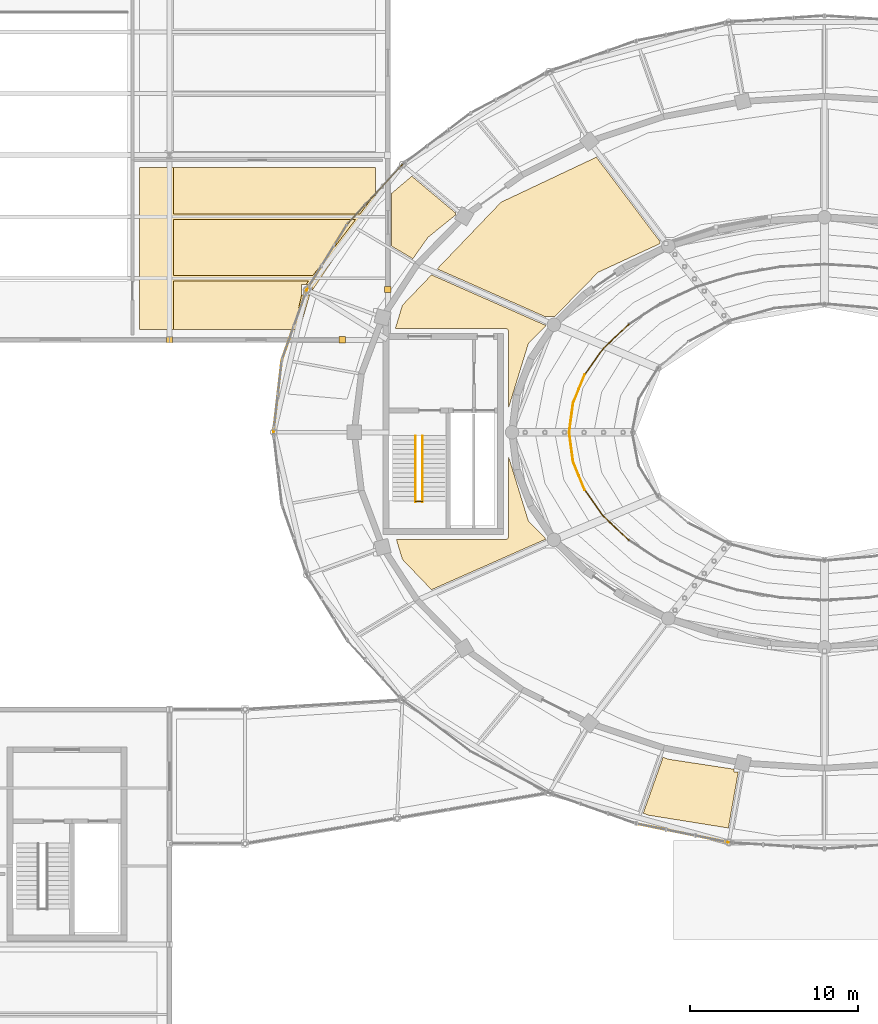
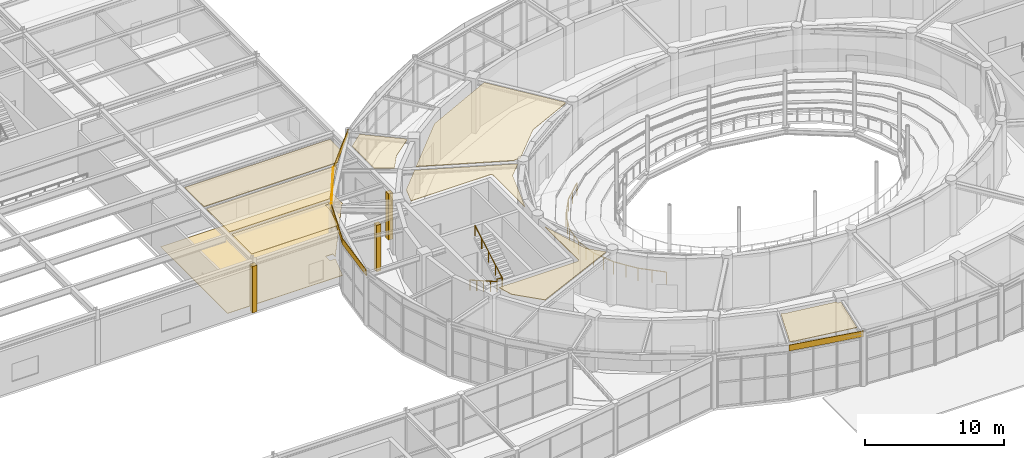
# One storey, part 90 of 100: 17 coverings, 11 railings.
"""IFC4 building model written with IfcOpenShell, lengths in metres."""

from ifc_helpers import new_model, si_unit, direction, frame, frame_2d, origin, origin_2d, place, context, subcontext, project, spatial, polyline, rectangle, circle, outline, extrude, material, layer, layer_set, type_object, element, save


model = new_model("IFC4")

# Units and contexts
model_context = context("Model", 3, precision=1e-05, world=origin(), true_north=direction((0.0, 1.0)))
body_context = subcontext(model_context, "Body", "Model", "MODEL_VIEW")
ifc_project = project(units=[si_unit("LENGTHUNIT", "METRE"), si_unit("AREAUNIT", "SQUARE_METRE"), si_unit("VOLUMEUNIT", "CUBIC_METRE"), si_unit("PLANEANGLEUNIT", "RADIAN"), si_unit("MASSUNIT", "GRAM", prefix="KILO")], contexts=[model_context])

# Site, building, storey
site_placement = place(None, origin())
site = spatial("IfcSite", under=ifc_project, at=site_placement, CompositionType="ELEMENT")
building_placement = place(site_placement, origin())
building = spatial("IfcBuilding", under=site, at=building_placement, Name="Tarnveldt Headland Concert Hall", CompositionType="ELEMENT")
storey_placement = place(building_placement, frame((0.0, 0.0, 4.800048828125)))
storey = spatial("IfcBuildingStorey", under=building, at=storey_placement, Name="L01", CompositionType="ELEMENT", Elevation=4.800048828125)

# Coverings
ifc_material_1 = material(Name="Micro-perforated mvule acoustic ceiling panel", Category="timber")
ifc_layer_1 = layer(ifc_material_1, 0.050048828125, Name="Micro-perforated mvule acoustic ceiling panel", Category="timber")
ifc_layer_set_1 = layer_set([ifc_layer_1], Name="Micro-perforated mvule acoustic ceiling panel")
covering_type_1 = type_object("IfcCoveringType", Name="CV-CEIL50", PredefinedType="CEILING", material=ifc_layer_set_1)
covering_1_placement = place(storey_placement, frame((0.0, 0.0, 4.489990234375)))
element("IfcCovering", 1, at=covering_1_placement, inside=storey, type_object=covering_type_1, Name="Acoustic mvule ceiling L01-09-114", PredefinedType="CEILING", context=body_context, shape_type="SweptSolid", body=[
    extrude(outline(polyline([(58.01220703125, 48.1201171875), (64.5, 48.1201171875), (64.517578125, 48.120849609375), (64.53515625, 48.12353515625), (64.55224609375, 48.127685546875), (64.56884765625, 48.1337890625), (64.5849609375, 48.141357421875), (64.60009765625, 48.150390625), (64.6142578125, 48.160888671875), (64.627197265625, 48.172607421875), (64.63916015625, 48.185791015625), (64.649658203125, 48.199951171875), (64.65869140625, 48.215087890625), (64.666259765625, 48.231201171875), (64.672119140625, 48.247802734375), (64.676513671875, 48.264892578125), (64.67919921875, 48.282470703125), (64.679931640625, 48.300048828125), (64.679931640625, 53.08154296875), (65.8544921875, 49.262939453125), (65.8603515625, 49.246826171875), (65.86767578125, 49.2314453125), (65.87646484375, 49.216796875), (65.886474609375, 49.202880859375), (65.89794921875, 49.190185546875), (66.891845703125, 48.17333984375), (66.891845703125, 48.13037109375), (60.10107421875, 45.127197265625), (58.369384765625, 46.934814453125), (58.01220703125, 48.1201171875)])), origin(), (0.0, 0.0, 1.0), 0.050048828125),
])
covering_2_placement = place(storey_placement, frame((0.0, 0.0, 4.489990234375)))
element("IfcCovering", 2, at=covering_2_placement, inside=storey, type_object=covering_type_1, Name="Acoustic mvule ceiling L01-10-124", PredefinedType="CEILING", context=body_context, shape_type="SweptSolid", body=[
    extrude(outline(polyline([(70.03369140625, 64.0302734375), (70.019775390625, 64.021484375), (70.0068359375, 64.011474609375), (69.9951171875, 64.000244140625), (67.45263671875, 61.39990234375), (66.891845703125, 61.39990234375), (66.891845703125, 61.37255859375), (60.439697265625, 64.22607421875), (64.24658203125, 68.2001953125), (69.919677734375, 70.881591796875), (73.699951171875, 65.8662109375), (73.699951171875, 65.72900390625), (70.048095703125, 64.03759765625), (70.03369140625, 64.0302734375)])), origin(), (0.0, 0.0, 1.0), 0.050048828125),
])
covering_3_placement = place(storey_placement, frame((0.0, 0.0, 4.489990234375)))
element("IfcCovering", 3, at=covering_3_placement, inside=storey, type_object=covering_type_1, Name="Acoustic mvule ceiling L01-10-125", PredefinedType="CEILING", context=body_context, shape_type="SweptSolid", body=[
    extrude(outline(polyline([(65.89794921875, 59.809814453125), (65.886474609375, 59.797119140625), (65.87646484375, 59.783203125), (65.86767578125, 59.7685546875), (65.8603515625, 59.753173828125), (65.8544921875, 59.737060546875), (64.679931640625, 55.91845703125), (64.679931640625, 60.5), (64.67919921875, 60.517578125), (64.676513671875, 60.53515625), (64.672119140625, 60.55224609375), (64.666259765625, 60.56884765625), (64.65869140625, 60.5849609375), (64.649658203125, 60.60009765625), (64.63916015625, 60.6142578125), (64.627197265625, 60.627197265625), (64.6142578125, 60.63916015625), (64.60009765625, 60.649658203125), (64.5849609375, 60.65869140625), (64.56884765625, 60.666259765625), (64.55224609375, 60.672119140625), (64.53515625, 60.676513671875), (64.517578125, 60.67919921875), (64.5, 60.679931640625), (57.951904296875, 60.679931640625), (58.369384765625, 62.065185546875), (60.10107421875, 63.872802734375), (66.891845703125, 60.86962890625), (66.891845703125, 60.82666015625), (65.89794921875, 59.809814453125)])), origin(), (0.0, 0.0, 1.0), 0.050048828125),
])
covering_4_placement = place(storey_placement, frame((0.0, 0.0, 4.489990234375)))
element("IfcCovering", 4, at=covering_4_placement, inside=storey, type_object=covering_type_1, Name="Acoustic mvule ceiling L01-11-129", PredefinedType="CEILING", context=body_context, shape_type="SweptSolid", body=[
    extrude(outline(polyline([(73.890380859375, 35.148193359375), (74.1943359375, 35.04150390625), (74.21044921875, 35.03662109375), (74.226806640625, 35.033447265625), (78.11279296875, 34.440185546875), (78.11279296875, 34.27880859375), (78.36767578125, 34.27880859375), (77.77880859375, 30.939453125), (73.02978515625, 31.698974609375), (72.710693359375, 31.81591796875), (73.890380859375, 35.148193359375)])), origin(), (0.0, 0.0, 1.0), 0.050048828125),
])
covering_5_placement = place(storey_placement, frame((0.0, 0.0, 4.489990234375)))
element("IfcCovering", 5, at=covering_5_placement, inside=storey, type_object=covering_type_1, Name="Acoustic mvule ceiling L01-13-153", PredefinedType="CEILING", context=body_context, shape_type="SweptSolid", body=[
    extrude(outline(polyline([(61.52587890625, 67.4287109375), (59.91162109375, 66.12109375), (59.8994140625, 66.110107421875), (59.88818359375, 66.09814453125), (59.8779296875, 66.085205078125), (58.99267578125, 64.833740234375), (57.72998046875, 65.583251953125), (57.72998046875, 68.728271484375), (58.9296875, 69.74609375), (61.52587890625, 67.56787109375), (61.52587890625, 67.4287109375)])), origin(), (0.0, 0.0, 1.0), 0.050048828125),
])
covering_6_placement = place(storey_placement, frame((0.0, 0.0, 4.489990234375)))
element("IfcCovering", 6, at=covering_6_placement, inside=storey, type_object=covering_type_1, Name="Acoustic mvule ceiling L01-25-189", PredefinedType="CEILING", context=body_context, shape_type="SweptSolid", body=[
    extrude(outline(polyline([(52.6201171875, 63.285400390625), (52.375, 63.285400390625), (52.375, 62.694580078125), (51.893310546875, 60.6298828125), (44.72998046875, 60.6298828125), (44.72998046875, 63.501953125), (52.78564453125, 63.501953125), (52.6201171875, 63.285400390625)])), origin(), (0.0, 0.0, 1.0), 0.050048828125),
])
covering_7_placement = place(storey_placement, frame((0.0, 0.0, 4.489990234375)))
element("IfcCovering", 7, at=covering_7_placement, inside=storey, type_object=covering_type_1, Name="Acoustic mvule ceiling L01-25-190", PredefinedType="CEILING", context=body_context, shape_type="SweptSolid", body=[
    extrude(outline(polyline([(55.8369140625, 67.498046875), (44.72998046875, 67.498046875), (44.72998046875, 70.27001953125), (56.77001953125, 70.27001953125), (56.77001953125, 68.7197265625), (55.8369140625, 67.498046875)])), origin(), (0.0, 0.0, 1.0), 0.050048828125),
])
covering_8_placement = place(storey_placement, frame((0.0, 0.0, 4.489990234375)))
element("IfcCovering", 8, at=covering_8_placement, inside=storey, type_object=covering_type_1, Name="Acoustic mvule ceiling L01-25-191", PredefinedType="CEILING", context=body_context, shape_type="SweptSolid", body=[
    extrude(outline(polyline([(44.72998046875, 67.16796875), (55.5849609375, 67.16796875), (53.03759765625, 63.83203125), (44.72998046875, 63.83203125), (44.72998046875, 67.16796875)])), origin(), (0.0, 0.0, 1.0), 0.050048828125),
])
ifc_material_2 = material(Name="Treated East African mvule hardwood", Category="wood")
ifc_layer_2 = layer(ifc_material_2, 0.044921875, Name="Treated East African mvule hardwood", Category="wood")
ifc_layer_set_2 = layer_set([ifc_layer_2], Name="Treated East African mvule hardwood")
covering_type_2 = type_object("IfcCoveringType", Name="CV-CLAD45", PredefinedType="CLADDING", material=ifc_layer_set_2)
covering_9_placement = place(storey_placement, frame((58.373779296875, 70.441162109375, 4.239990234375), z_axis=(0.0, 0.0, 1.0), x_axis=(-0.67944736966, -0.733724247835, 0.0)))
element("IfcCovering", 9, at=covering_9_placement, inside=storey, type_object=covering_type_2, Name="Mvule hardwood fascia band L01-15", PredefinedType="CLADDING", context=body_context, shape_type="SweptSolid", body=[
    extrude(rectangle(XDim=4.826416015625, YDim=0.044921875, at=frame_2d((2.4130859375, 0.0))), origin(), (0.0, 0.0, 1.0), 0.52001953125),
])
covering_10_placement = place(storey_placement, frame((55.094482421875, 66.89990234375, 4.239990234375), z_axis=(0.0, 0.0, 1.0), x_axis=(-0.524979001727, -0.851115178895, 0.0)))
element("IfcCovering", 10, at=covering_10_placement, inside=storey, type_object=covering_type_2, Name="Mvule hardwood fascia band L01-16", PredefinedType="CLADDING", context=body_context, shape_type="SweptSolid", body=[
    extrude(rectangle(XDim=4.60302734375, YDim=0.044921875, at=frame_2d((2.301513671875, 0.0))), origin(), (0.0, 0.0, 1.0), 0.52001953125),
])
covering_11_placement = place(storey_placement, frame((52.677978515625, 62.982177734375, 4.239990234375), z_axis=(0.0, 0.0, 1.0), x_axis=(-0.334010357608, -0.942569403816, 0.0)))
element("IfcCovering", 11, at=covering_11_placement, inside=storey, type_object=covering_type_2, Name="Mvule hardwood fascia band L01-17", PredefinedType="CLADDING", context=body_context, shape_type="SweptSolid", body=[
    extrude(rectangle(XDim=4.43017578125, YDim=0.044921875, at=frame_2d((2.215087890625, 0.0))), origin(), (0.0, 0.0, 1.0), 0.52001953125),
])
covering_12_placement = place(storey_placement, frame((51.1982421875, 58.806396484375, 4.239990234375), z_axis=(0.0, 0.0, 1.0), x_axis=(-0.11494260035, -0.993372135015, 0.0)))
element("IfcCovering", 12, at=covering_12_placement, inside=storey, type_object=covering_type_2, Name="Mvule hardwood fascia band L01-18", PredefinedType="CLADDING", context=body_context, shape_type="SweptSolid", body=[
    extrude(rectangle(XDim=4.335205078125, YDim=0.044921875, at=frame_2d((2.16748046875, 0.0))), origin(), (0.0, 0.0, 1.0), 0.52001953125),
])
covering_13_placement = place(storey_placement, frame((72.28173828125, 31.195556640625, 4.239990234375), z_axis=(0.0, 0.0, 1.0), x_axis=(0.980094417088, -0.198531946026, 0.0)))
element("IfcCovering", 13, at=covering_13_placement, inside=storey, type_object=covering_type_2, Name="Mvule hardwood fascia band L01-26", PredefinedType="CLADDING", context=body_context, shape_type="SweptSolid", body=[
    extrude(rectangle(XDim=5.634521484375, YDim=0.044921875, at=frame_2d((2.8173828125, 0.0))), origin(), (0.0, 0.0, 1.0), 0.52001953125),
])
ifc_material_3 = material(Name="Polished coral-aggregate cementitious terrazzo flooring", Category="concrete")
ifc_layer_3 = layer(ifc_material_3, 0.034912109375, Name="Polished coral-aggregate cementitious terrazzo flooring", Category="concrete")
ifc_layer_set_3 = layer_set([ifc_layer_3], Name="Polished coral-aggregate cementitious terrazzo flooring")
covering_type_3 = type_object("IfcCoveringType", Name="CV-FLOR35", PredefinedType="FLOORING", material=ifc_layer_set_3)
covering_14_placement = place(storey_placement, origin())
element("IfcCovering", 14, at=covering_14_placement, inside=storey, type_object=covering_type_3, Name="Architectural flooring L01-25-52", PredefinedType="FLOORING", context=body_context, shape_type="SweptSolid", body=[
    extrude(outline(polyline([(56.77001953125, 70.27001953125), (56.77001953125, 68.438232421875), (56.658935546875, 68.343994140625), (56.650390625, 68.33642578125), (56.64794921875, 68.333984375), (56.640625, 68.326416015625), (56.63818359375, 68.32373046875), (56.62451171875, 68.30712890625), (56.622314453125, 68.30419921875), (56.618896484375, 68.29931640625), (52.981201171875, 62.913818359375), (52.981201171875, 63.285400390625), (52.375, 63.285400390625), (52.375, 62.678955078125), (52.852294921875, 62.678955078125), (52.2578125, 60.6298828125), (42.72998046875, 60.6298828125), (42.72998046875, 70.27001953125), (56.77001953125, 70.27001953125)])), origin(), (0.0, 0.0, 1.0), 0.034912109375),
])
ifc_material_4 = material(Name="Coral-toned precast concrete C40/50", Category="concrete")
ifc_layer_4 = layer(ifc_material_4, 0.360107421875, Name="Coral-toned precast concrete C40/50", Category="concrete")
ifc_layer_set_4 = layer_set([ifc_layer_4], Name="Coral-toned precast concrete C40/50")
covering_type_4 = type_object("IfcCoveringType", Name="CV-JNT360", PredefinedType="CLADDING", material=ifc_layer_set_4)
for number, where, z_axis, x_axis, name in (
    (15, (44.5, 60.0, 0.0), (0.0, 0.0, 1.0), (-1.0, 0.0, 0.0), "Precast facade joint closure pilaster L01-215"),
    (16, (54.800048828125, 60.0, 0.0), (0.0, 0.0, 1.0), (-1.0, 0.0, 0.0), "Precast facade joint closure pilaster L01-217"),
    (17, (57.5, 63.0, 0.0), (0.0, 0.0, 1.0), (0.0, -1.0, 0.0), "Precast facade joint closure pilaster L01-218"),
):
    element("IfcCovering", number, at=place(storey_placement, frame(where, z_axis=z_axis, x_axis=x_axis)), inside=storey, type_object=covering_type_4, Name=name, PredefinedType="CLADDING", context=body_context, shape_type="SweptSolid", body=[
        extrude(rectangle(XDim=0.3798828125, YDim=0.3798828125, at=origin_2d()), origin(), (0.0, 0.0, 1.0), 4.077880859375),
    ])

# Railings
ifc_material_5 = material(Name="Marine stainless steel", Category="steel")
ifc_layer_5 = layer(ifc_material_5, 0.06005859375, Name="Marine stainless steel", Category="steel")
ifc_layer_set_5 = layer_set([ifc_layer_5], Name="Marine stainless steel")
railing_type_1 = type_object("IfcRailingType", Name="RL-GRD110", PredefinedType="GUARDRAIL", material=ifc_layer_set_5)
railing_1_placement = place(storey_placement, frame((59.14990234375, 50.39990234375, 2.39990234375)))
element("IfcRailing", 18, at=railing_1_placement, inside=storey, type_object=railing_type_1, Name="GUARD STR-C1-L01 half-landing well", PredefinedType="GUARDRAIL", context=body_context, shape_type="SweptSolid", body=[
    extrude(circle(Radius=0.02392578125, at=origin_2d()), frame((0.0, 0.0, 1.076171875), z_axis=(1.0, 0.0, 0.0), x_axis=(0.0, 1.0, 0.0)), (0.0, 0.0, 1.0), 0.420166015625),
    extrude(circle(Radius=0.02099609375, at=origin_2d()), origin(), (0.0, 0.0, 1.0), 1.052001953125),
    extrude(circle(Radius=0.02099609375, at=origin_2d()), frame((0.420166015625, 0.0, 0.0)), (0.0, 0.0, 1.0), 1.052001953125),
])
railing_2_placement = place(storey_placement, frame((71.856201171875, 60.927978515625, 0.0)))
element("IfcRailing", 19, at=railing_2_placement, inside=storey, type_object=railing_type_1, Name="GUARD Auditorium void guardrail L01 15", PredefinedType="GUARDRAIL", context=body_context, shape_type="SweptSolid", body=[
    extrude(circle(Radius=0.02392578125, at=origin_2d()), frame((0.0, 0.0, 1.076171875), z_axis=(-0.728773712747, -0.684754609776, 0.0), x_axis=(0.684754609776, -0.728773712747, 0.0)), (0.0, 0.0, 1.0), 2.08544921875),
    extrude(circle(Radius=0.02099609375, at=origin_2d()), origin(), (0.0, 0.0, 1.0), 1.052001953125),
    extrude(circle(Radius=0.02099609375, at=origin_2d()), frame((-0.759765625, -0.7138671875, 0.0)), (0.0, 0.0, 1.0), 1.052001953125),
    extrude(circle(Radius=0.02099609375, at=origin_2d()), frame((-1.519775390625, -1.427978515625, 0.0)), (0.0, 0.0, 1.0), 1.052001953125),
])
railing_3_placement = place(storey_placement, frame((70.33642578125, 59.5, 0.0)))
element("IfcRailing", 20, at=railing_3_placement, inside=storey, type_object=railing_type_1, Name="GUARD Auditorium void guardrail L01 16", PredefinedType="GUARDRAIL", context=body_context, shape_type="SweptSolid", body=[
    extrude(circle(Radius=0.02392578125, at=origin_2d()), frame((0.0, 0.0, 1.076171875), z_axis=(-0.578216724182, -0.815883214606, 0.0), x_axis=(0.815883214606, -0.578216724182, 0.0)), (0.0, 0.0, 1.0), 1.936279296875),
    extrude(circle(Radius=0.02099609375, at=origin_2d()), origin(), (0.0, 0.0, 1.0), 1.052001953125),
    extrude(circle(Radius=0.02099609375, at=origin_2d()), frame((-0.559814453125, -0.7900390625, 0.0)), (0.0, 0.0, 1.0), 1.052001953125),
    extrude(circle(Radius=0.02099609375, at=origin_2d()), frame((-1.11962890625, -1.579833984375, 0.0)), (0.0, 0.0, 1.0), 1.052001953125),
])
railing_4_placement = place(storey_placement, frame((69.216796875, 57.920166015625, 0.0)))
element("IfcRailing", 21, at=railing_4_placement, inside=storey, type_object=railing_type_1, Name="GUARD Auditorium void guardrail L01 17", PredefinedType="GUARDRAIL", context=body_context, shape_type="SweptSolid", body=[
    extrude(circle(Radius=0.02392578125, at=origin_2d()), frame((0.0, 0.0, 1.076171875), z_axis=(-0.377241429706, -0.926114951674, 0.0), x_axis=(0.926114951674, -0.377241429706, 0.0)), (0.0, 0.0, 1.0), 1.81787109375),
    extrude(circle(Radius=0.02099609375, at=origin_2d()), origin(), (0.0, 0.0, 1.0), 1.052001953125),
    extrude(circle(Radius=0.02099609375, at=origin_2d()), frame((-0.3427734375, -0.841796875, 0.0)), (0.0, 0.0, 1.0), 1.052001953125),
    extrude(circle(Radius=0.02099609375, at=origin_2d()), frame((-0.685791015625, -1.68359375, 0.0)), (0.0, 0.0, 1.0), 1.052001953125),
])
railing_5_placement = place(storey_placement, frame((68.531005859375, 56.236572265625, 0.0)))
element("IfcRailing", 22, at=railing_5_placement, inside=storey, type_object=railing_type_1, Name="GUARD Auditorium void guardrail L01 18", PredefinedType="GUARDRAIL", context=body_context, shape_type="SweptSolid", body=[
    extrude(circle(Radius=0.02392578125, at=origin_2d()), frame((0.0, 0.0, 1.076171875), z_axis=(-0.131835089673, -0.991271662629, 0.0), x_axis=(0.991271662629, -0.131835089673, 0.0)), (0.0, 0.0, 1.0), 1.751953125),
    extrude(circle(Radius=0.02099609375, at=origin_2d()), origin(), (0.0, 0.0, 1.0), 1.052001953125),
    extrude(circle(Radius=0.02099609375, at=origin_2d()), frame((-0.115478515625, -0.8681640625, 0.0)), (0.0, 0.0, 1.0), 1.052001953125),
    extrude(circle(Radius=0.02099609375, at=origin_2d()), frame((-0.23095703125, -1.736572265625, 0.0)), (0.0, 0.0, 1.0), 1.052001953125),
])
railing_6_placement = place(storey_placement, frame((68.300048828125, 54.5, 0.0)))
element("IfcRailing", 23, at=railing_6_placement, inside=storey, type_object=railing_type_1, Name="GUARD Auditorium void guardrail L01 19", PredefinedType="GUARDRAIL", context=body_context, shape_type="SweptSolid", body=[
    extrude(circle(Radius=0.02392578125, at=origin_2d()), frame((0.0, 0.0, 1.076171875), z_axis=(0.131835089673, -0.991271662629, 0.0), x_axis=(0.991271662629, 0.131835089673, 0.0)), (0.0, 0.0, 1.0), 1.751953125),
    extrude(circle(Radius=0.02099609375, at=origin_2d()), origin(), (0.0, 0.0, 1.0), 1.052001953125),
    extrude(circle(Radius=0.02099609375, at=origin_2d()), frame((0.115478515625, -0.8681640625, 0.0)), (0.0, 0.0, 1.0), 1.052001953125),
    extrude(circle(Radius=0.02099609375, at=origin_2d()), frame((0.23095703125, -1.736572265625, 0.0)), (0.0, 0.0, 1.0), 1.052001953125),
])
railing_7_placement = place(storey_placement, frame((68.531005859375, 52.763427734375, 0.0)))
element("IfcRailing", 24, at=railing_7_placement, inside=storey, type_object=railing_type_1, Name="GUARD Auditorium void guardrail L01 20", PredefinedType="GUARDRAIL", context=body_context, shape_type="SweptSolid", body=[
    extrude(circle(Radius=0.02392578125, at=origin_2d()), frame((0.0, 0.0, 1.076171875), z_axis=(0.377241429706, -0.926114951674, 0.0), x_axis=(0.926114951674, 0.377241429706, 0.0)), (0.0, 0.0, 1.0), 1.81787109375),
    extrude(circle(Radius=0.02099609375, at=origin_2d()), origin(), (0.0, 0.0, 1.0), 1.052001953125),
    extrude(circle(Radius=0.02099609375, at=origin_2d()), frame((0.3427734375, -0.841796875, 0.0)), (0.0, 0.0, 1.0), 1.052001953125),
    extrude(circle(Radius=0.02099609375, at=origin_2d()), frame((0.685791015625, -1.68359375, 0.0)), (0.0, 0.0, 1.0), 1.052001953125),
])
railing_8_placement = place(storey_placement, frame((69.216796875, 51.079833984375, 0.0)))
element("IfcRailing", 25, at=railing_8_placement, inside=storey, type_object=railing_type_1, Name="GUARD Auditorium void guardrail L01 21", PredefinedType="GUARDRAIL", context=body_context, shape_type="SweptSolid", body=[
    extrude(circle(Radius=0.02392578125, at=origin_2d()), frame((0.0, 0.0, 1.076171875), z_axis=(0.578216724182, -0.815883214606, 0.0), x_axis=(0.815883214606, 0.578216724182, 0.0)), (0.0, 0.0, 1.0), 1.936279296875),
    extrude(circle(Radius=0.02099609375, at=origin_2d()), origin(), (0.0, 0.0, 1.0), 1.052001953125),
    extrude(circle(Radius=0.02099609375, at=origin_2d()), frame((0.559814453125, -0.7900390625, 0.0)), (0.0, 0.0, 1.0), 1.052001953125),
    extrude(circle(Radius=0.02099609375, at=origin_2d()), frame((1.11962890625, -1.579833984375, 0.0)), (0.0, 0.0, 1.0), 1.052001953125),
])
railing_9_placement = place(storey_placement, frame((70.33642578125, 49.5, 0.0)))
element("IfcRailing", 26, at=railing_9_placement, inside=storey, type_object=railing_type_1, Name="GUARD Auditorium void guardrail L01 22", PredefinedType="GUARDRAIL", context=body_context, shape_type="SweptSolid", body=[
    extrude(circle(Radius=0.02392578125, at=origin_2d()), frame((0.0, 0.0, 1.076171875), z_axis=(0.728773712747, -0.684754609776, 0.0), x_axis=(0.684754609776, 0.728773712747, 0.0)), (0.0, 0.0, 1.0), 2.08544921875),
    extrude(circle(Radius=0.02099609375, at=origin_2d()), origin(), (0.0, 0.0, 1.0), 1.052001953125),
    extrude(circle(Radius=0.02099609375, at=origin_2d()), frame((0.759765625, -0.7138671875, 0.0)), (0.0, 0.0, 1.0), 1.052001953125),
    extrude(circle(Radius=0.02099609375, at=origin_2d()), frame((1.519775390625, -1.427978515625, 0.0)), (0.0, 0.0, 1.0), 1.052001953125),
])
ifc_layer_6 = layer(ifc_material_5, 0.048095703125, Name="Marine stainless steel", Category="steel")
ifc_layer_set_6 = layer_set([ifc_layer_6], Name="Marine stainless steel")
railing_type_2 = type_object("IfcRailingType", Name="RL-HND092", PredefinedType="HANDRAIL", material=ifc_layer_set_6)
railing_10_placement = place(storey_placement, frame((59.14990234375, 54.280029296875, 0.159912109375)))
element("IfcRailing", 27, at=railing_10_placement, inside=storey, type_object=railing_type_2, Name="HANDRAIL STR-C1-L01 flight 1", PredefinedType="HANDRAIL", context=body_context, shape_type="SweptSolid", body=[
    extrude(circle(Radius=0.02392578125, at=origin_2d()), frame((0.0, 0.0, 0.89599609375), z_axis=(0.0, -0.868239814368, 0.496144761885), x_axis=(1.0, 0.0, 0.0)), (0.0, 0.0, 1.0), 4.514892578125),
    extrude(circle(Radius=0.02099609375, at=origin_2d()), origin(), (0.0, 0.0, 1.0), 0.871826171875),
    extrude(circle(Radius=0.02099609375, at=origin_2d()), frame((0.0, -0.97998046875, 0.56005859375)), (0.0, 0.0, 1.0), 0.871826171875),
    extrude(circle(Radius=0.02099609375, at=origin_2d()), frame((0.0, -1.9599609375, 1.1201171875)), (0.0, 0.0, 1.0), 0.871826171875),
    extrude(circle(Radius=0.02099609375, at=origin_2d()), frame((0.0, -2.93994140625, 1.679931640625)), (0.0, 0.0, 1.0), 0.871826171875),
    extrude(circle(Radius=0.02099609375, at=origin_2d()), frame((0.0, -3.919921875, 2.239990234375)), (0.0, 0.0, 1.0), 0.871826171875),
])
railing_11_placement = place(storey_placement, frame((59.570068359375, 50.360107421875, 2.56005859375)))
element("IfcRailing", 28, at=railing_11_placement, inside=storey, type_object=railing_type_2, Name="HANDRAIL STR-C1-L01 flight 2", PredefinedType="HANDRAIL", context=body_context, shape_type="SweptSolid", body=[
    extrude(circle(Radius=0.02392578125, at=origin_2d()), frame((0.0, 0.0, 0.89599609375), z_axis=(0.0, 0.868239814368, 0.496144761885), x_axis=(-1.0, 0.0, 0.0)), (0.0, 0.0, 1.0), 4.514892578125),
    extrude(circle(Radius=0.02099609375, at=origin_2d()), origin(), (0.0, 0.0, 1.0), 0.871826171875),
    extrude(circle(Radius=0.02099609375, at=origin_2d()), frame((0.0, 0.97998046875, 0.56005859375)), (0.0, 0.0, 1.0), 0.871826171875),
    extrude(circle(Radius=0.02099609375, at=origin_2d()), frame((0.0, 1.9599609375, 1.1201171875)), (0.0, 0.0, 1.0), 0.871826171875),
    extrude(circle(Radius=0.02099609375, at=origin_2d()), frame((0.0, 2.93994140625, 1.679931640625)), (0.0, 0.0, 1.0), 0.871826171875),
    extrude(circle(Radius=0.02099609375, at=origin_2d()), frame((0.0, 3.919921875, 2.239990234375)), (0.0, 0.0, 1.0), 0.871826171875),
])

save(model, "model.ifc")
